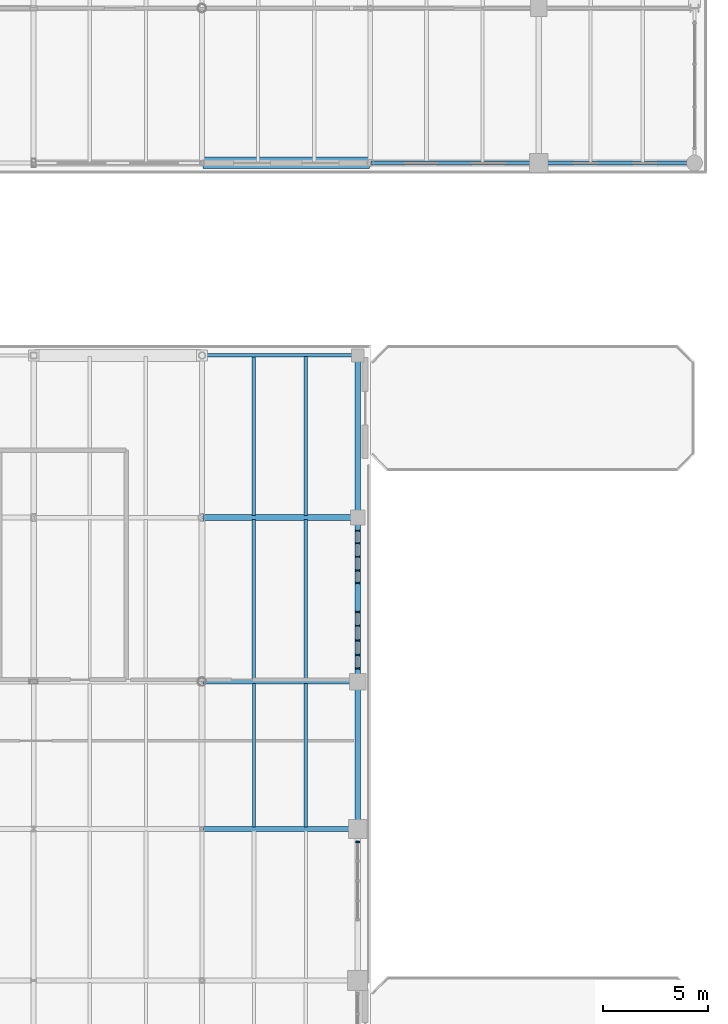
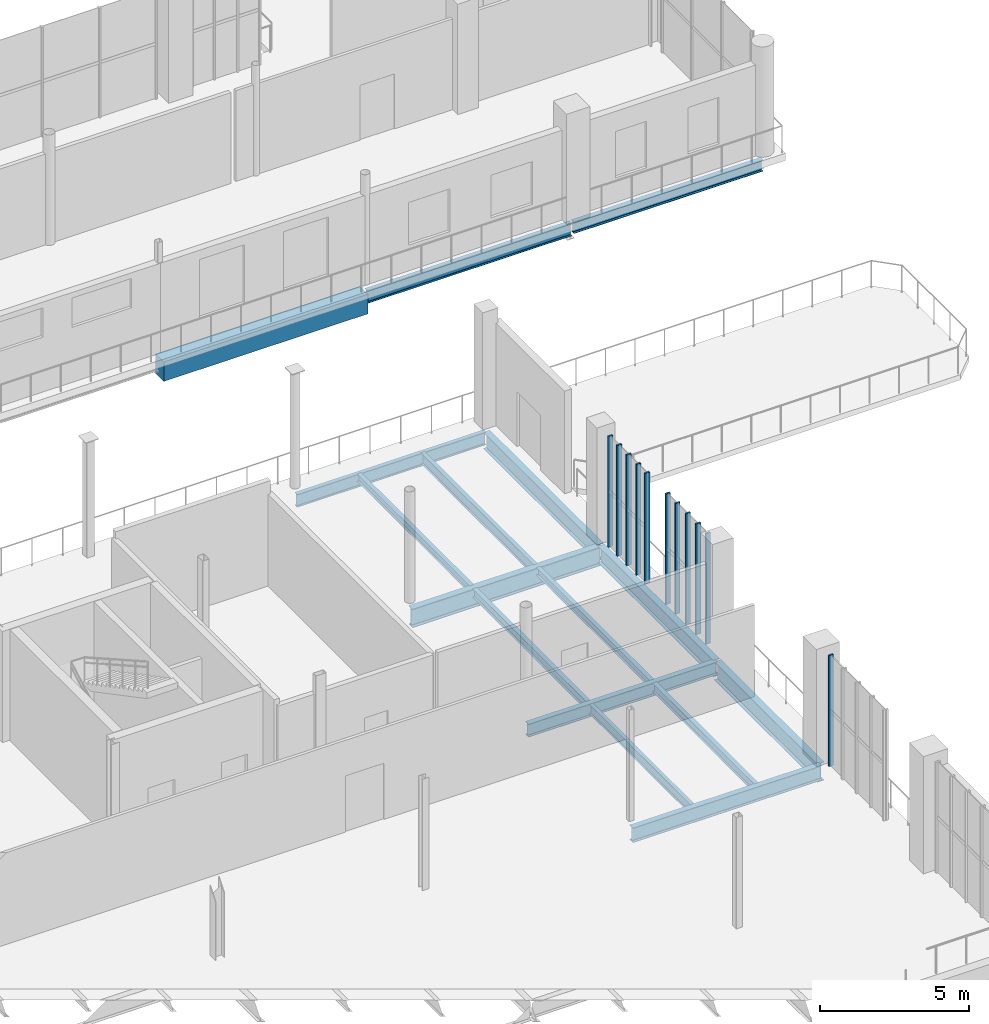
# One storey, part 56 of 93: 16 beams, 11 members, 3 elements without a shape of their own.
"""IFC4 building model written with IfcOpenShell, lengths in metres."""

from ifc_helpers import new_model, si_unit, direction, frame, origin, origin_2d, place, context, subcontext, project, spatial, rectangle, i_section, extrude, material, material_profile, profile_set, type_object, element, aggregate, save


model = new_model("IFC4")

# Units and contexts
model_context = context("Model", 3, precision=1e-05, world=origin(), true_north=direction((0.0, 1.0)))
body_context = subcontext(model_context, "Body", "Model", "MODEL_VIEW")
ifc_project = project(units=[si_unit("LENGTHUNIT", "METRE"), si_unit("AREAUNIT", "SQUARE_METRE"), si_unit("VOLUMEUNIT", "CUBIC_METRE"), si_unit("PLANEANGLEUNIT", "RADIAN"), si_unit("MASSUNIT", "GRAM", prefix="KILO")], contexts=[model_context])

# Site, building, storey
site_placement = place(None, origin())
site = spatial("IfcSite", under=ifc_project, at=site_placement, CompositionType="ELEMENT")
building_placement = place(site_placement, origin())
building = spatial("IfcBuilding", under=site, at=building_placement, Name="Brisemont Oceanarium", CompositionType="ELEMENT")
storey_placement = place(building_placement, frame((0.0, 0.0, 5.39990234375)))
storey = spatial("IfcBuildingStorey", under=building, at=storey_placement, Name="L01", CompositionType="ELEMENT", Elevation=5.39990234375)

# Beams
ifc_material_1 = material(Name="Concrete C40/50", Category="concrete")
ifc_material_profile_1 = material_profile(ifc_material_1, rectangle(XDim=0.550048828125, YDim=0.800048828125, at=origin_2d()), Name="RC-BM-550X800")
ifc_profile_set_1 = profile_set([ifc_material_profile_1], Name="Concrete C40/50")
beam_type_1 = type_object("IfcBeamType", Name="BM-RC550X800", PredefinedType="SPANDREL", material=ifc_profile_set_1)
beam_1_placement = place(storey_placement, frame((136.0400390625, 80.64990234375, -0.699951171875), z_axis=(1.0, 0.0, 0.0), x_axis=(0.0, 1.0, 0.0)))
element("IfcBeam", 1, at=beam_1_placement, inside=storey, type_object=beam_type_1, Name="V6 L01 EW girder", PredefinedType="SPANDREL", context=body_context, shape_type="SweptSolid", body=[
    extrude(rectangle(XDim=0.550048828125, YDim=0.800048828125, at=origin_2d()), origin(), (0.0, 0.0, 1.0), 7.919921875),
])
ifc_material_2 = material(Name="Structural Steel ASTM A992 Gr.50", Category="steel")
ifc_material_profile_2 = material_profile(ifc_material_2, i_section(OverallWidth=0.1650390625, OverallDepth=0.31005859375, WebThickness=0.005859375, FlangeThickness=0.009765625, FilletRadius=0.008056640625, at=origin_2d()), Name="W12X26")
ifc_profile_set_2 = profile_set([ifc_material_profile_2], Name="Structural Steel ASTM A992 Gr.50")
beam_type_2 = type_object("IfcBeamType", Name="BM-W12X26", PredefinedType="JOIST", material=ifc_profile_set_2)
beam_2_placement = place(storey_placement, frame((140.933349609375, 56.090087890625, -0.454833984375), z_axis=(0.0, 1.0, 0.0), x_axis=(-1.0, 0.0, 0.0)))
element("IfcBeam", 2, at=beam_2_placement, inside=storey, type_object=beam_type_2, Name="V5E L01 secondary floor beam", PredefinedType="JOIST", context=body_context, shape_type="SweptSolid", body=[
    extrude(i_section(OverallWidth=0.1650390625, OverallDepth=0.31005859375, WebThickness=0.005859375, FlangeThickness=0.009765625, FilletRadius=0.008056640625, at=origin_2d()), origin(), (0.0, 0.0, 1.0), 7.619873046875),
])
beam_3_placement = place(storey_placement, frame((138.466796875, 63.889892578125, -0.454833984375), z_axis=(0.0, 1.0, 0.0), x_axis=(-1.0, 0.0, 0.0)))
element("IfcBeam", 3, at=beam_3_placement, inside=storey, type_object=beam_type_2, Name="V5E L01 secondary floor beam", PredefinedType="JOIST", context=body_context, shape_type="SweptSolid", body=[
    extrude(i_section(OverallWidth=0.1650390625, OverallDepth=0.31005859375, WebThickness=0.005859375, FlangeThickness=0.009765625, FilletRadius=0.008056640625, at=origin_2d()), origin(), (0.0, 0.0, 1.0), 7.570068359375),
])
ifc_material_3 = material(Name="Structural Steel ASTM A992 Gr.50", Category="steel")
ifc_material_profile_3 = material_profile(ifc_material_3, i_section(OverallWidth=0.1708984375, OverallDepth=0.35107421875, WebThickness=0.0068359375, FlangeThickness=0.009765625, FilletRadius=0.010009765625, at=origin_2d()), Name="W14X30")
ifc_profile_set_3 = profile_set([ifc_material_profile_3], Name="Structural Steel ASTM A992 Gr.50")
beam_type_3 = type_object("IfcBeamType", Name="BM-W14X30", PredefinedType="JOIST", material=ifc_profile_set_3)
beam_4_placement = place(storey_placement, frame((140.933349609375, 49.090087890625, -0.475341796875), z_axis=(0.0, 1.0, 0.0), x_axis=(-1.0, 0.0, 0.0)))
element("IfcBeam", 4, at=beam_4_placement, inside=storey, type_object=beam_type_3, Name="V5E L01 secondary floor beam", PredefinedType="JOIST", context=body_context, shape_type="SweptSolid", body=[
    extrude(i_section(OverallWidth=0.1708984375, OverallDepth=0.35107421875, WebThickness=0.0068359375, FlangeThickness=0.009765625, FilletRadius=0.010009765625, at=origin_2d()), origin(), (0.0, 0.0, 1.0), 6.81982421875),
])
beam_5_placement = place(storey_placement, frame((138.466796875, 56.090087890625, -0.475341796875), z_axis=(0.0, 1.0, 0.0), x_axis=(-1.0, 0.0, 0.0)))
element("IfcBeam", 5, at=beam_5_placement, inside=storey, type_object=beam_type_3, Name="V5E L01 secondary floor beam", PredefinedType="JOIST", context=body_context, shape_type="SweptSolid", body=[
    extrude(i_section(OverallWidth=0.1708984375, OverallDepth=0.35107421875, WebThickness=0.0068359375, FlangeThickness=0.009765625, FilletRadius=0.010009765625, at=origin_2d()), origin(), (0.0, 0.0, 1.0), 7.619873046875),
])
ifc_material_4 = material(Name="Structural Steel ASTM A992 Gr.50", Category="steel")
ifc_material_profile_4 = material_profile(ifc_material_4, i_section(OverallWidth=0.139892578125, OverallDepth=0.39892578125, WebThickness=0.00634765625, FlangeThickness=0.0087890625, FilletRadius=0.010009765625, at=origin_2d()), Name="W16X26")
ifc_profile_set_4 = profile_set([ifc_material_profile_4], Name="Structural Steel ASTM A992 Gr.50")
beam_type_4 = type_object("IfcBeamType", Name="BM-W16X26", PredefinedType="JOIST", material=ifc_profile_set_4)
beam_6_placement = place(storey_placement, frame((138.466796875, 49.090087890625, -0.49951171875), z_axis=(0.0, 1.0, 0.0), x_axis=(-1.0, 0.0, 0.0)))
element("IfcBeam", 6, at=beam_6_placement, inside=storey, type_object=beam_type_4, Name="V5E L01 secondary floor beam", PredefinedType="JOIST", context=body_context, shape_type="SweptSolid", body=[
    extrude(i_section(OverallWidth=0.139892578125, OverallDepth=0.39892578125, WebThickness=0.00634765625, FlangeThickness=0.0087890625, FilletRadius=0.010009765625, at=origin_2d()), origin(), (0.0, 0.0, 1.0), 6.81982421875),
])
ifc_material_5 = material(Name="Structural Steel ASTM A992 Gr.50", Category="steel")
ifc_material_profile_5 = material_profile(ifc_material_5, i_section(OverallWidth=0.153076171875, OverallDepth=0.455078125, WebThickness=0.008056640625, FlangeThickness=0.01318359375, FilletRadius=0.010986328125, at=origin_2d()), Name="W18X40")
ifc_profile_set_5 = profile_set([ifc_material_profile_5], Name="Structural Steel ASTM A992 Gr.50")
beam_type_5 = type_object("IfcBeamType", Name="BM-W18X40", PredefinedType="JOIST", material=ifc_profile_set_5)
beam_7_placement = place(storey_placement, frame((140.933349609375, 63.889892578125, -0.52734375), z_axis=(0.0, 1.0, 0.0), x_axis=(-1.0, 0.0, 0.0)))
element("IfcBeam", 7, at=beam_7_placement, inside=storey, type_object=beam_type_5, Name="V5E L01 secondary floor beam", PredefinedType="JOIST", context=body_context, shape_type="SweptSolid", body=[
    extrude(i_section(OverallWidth=0.153076171875, OverallDepth=0.455078125, WebThickness=0.008056640625, FlangeThickness=0.01318359375, FilletRadius=0.010986328125, at=origin_2d()), origin(), (0.0, 0.0, 1.0), 7.570068359375),
])
ifc_material_6 = material(Name="Structural Steel ASTM A992 Gr.50", Category="steel")
ifc_material_profile_6 = material_profile(ifc_material_6, i_section(OverallWidth=0.19091796875, OverallDepth=0.4599609375, WebThickness=0.010009765625, FlangeThickness=0.01611328125, FilletRadius=0.010986328125, at=origin_2d()), Name="W18X55")
ifc_profile_set_6 = profile_set([ifc_material_profile_6], Name="Structural Steel ASTM A992 Gr.50")
beam_type_6 = type_object("IfcBeamType", Name="BM-W18X55", PredefinedType="SPANDREL", material=ifc_profile_set_6)
beam_8_placement = place(storey_placement, frame((152.0400390625, 80.64990234375, -0.52978515625), z_axis=(1.0, 0.0, 0.0), x_axis=(0.0, 1.0, 0.0)))
element("IfcBeam", 8, at=beam_8_placement, inside=storey, type_object=beam_type_6, Name="V6 L01 EW girder", PredefinedType="SPANDREL", context=body_context, shape_type="SweptSolid", body=[
    extrude(i_section(OverallWidth=0.19091796875, OverallDepth=0.4599609375, WebThickness=0.010009765625, FlangeThickness=0.01611328125, FilletRadius=0.010986328125, at=origin_2d()), origin(), (0.0, 0.0, 1.0), 7.320068359375),
])
ifc_material_7 = material(Name="Structural Steel ASTM A992 Gr.50", Category="steel")
ifc_material_profile_7 = material_profile(ifc_material_7, i_section(OverallWidth=0.166015625, OverallDepth=0.528076171875, WebThickness=0.009765625, FlangeThickness=0.013671875, FilletRadius=0.012939453125, at=origin_2d()), Name="W21X50")
ifc_profile_set_7 = profile_set([ifc_material_profile_7], Name="Structural Steel ASTM A992 Gr.50")
beam_type_7 = type_object("IfcBeamType", Name="BM-W21X50", PredefinedType="SPANDREL", material=ifc_profile_set_7)
beam_9_placement = place(storey_placement, frame((136.0400390625, 71.5, -0.56396484375), z_axis=(1.0, 0.0, 0.0), x_axis=(0.0, 1.0, 0.0)))
element("IfcBeam", 9, at=beam_9_placement, inside=storey, type_object=beam_type_7, Name="V5E L01 EW girder", PredefinedType="SPANDREL", context=body_context, shape_type="SweptSolid", body=[
    extrude(i_section(OverallWidth=0.166015625, OverallDepth=0.528076171875, WebThickness=0.009765625, FlangeThickness=0.013671875, FilletRadius=0.012939453125, at=origin_2d()), origin(), (0.0, 0.0, 1.0), 7.320068359375),
])
beam_10_placement = place(storey_placement, frame((144.0400390625, 80.64990234375, -0.56396484375), z_axis=(1.0, 0.0, 0.0), x_axis=(0.0, 1.0, 0.0)))
element("IfcBeam", 10, at=beam_10_placement, inside=storey, type_object=beam_type_7, Name="V6 L01 EW girder", PredefinedType="SPANDREL", context=body_context, shape_type="SweptSolid", body=[
    extrude(i_section(OverallWidth=0.166015625, OverallDepth=0.528076171875, WebThickness=0.009765625, FlangeThickness=0.013671875, FilletRadius=0.012939453125, at=origin_2d()), origin(), (0.0, 0.0, 1.0), 7.919921875),
])
ifc_material_8 = material(Name="Structural Steel ASTM A992 Gr.50", Category="steel")
ifc_material_profile_8 = material_profile(ifc_material_8, i_section(OverallWidth=0.2099609375, OverallDepth=0.532958984375, WebThickness=0.01025390625, FlangeThickness=0.015625, FilletRadius=0.012939453125, at=origin_2d()), Name="W21X62")
ifc_profile_set_8 = profile_set([ifc_material_profile_8], Name="Structural Steel ASTM A992 Gr.50")
beam_type_8 = type_object("IfcBeamType", Name="BM-W21X62", PredefinedType="BEAM", material=ifc_profile_set_8)
beam_11_placement = place(storey_placement, frame((136.0400390625, 56.0, -0.56640625), z_axis=(1.0, 0.0, 0.0), x_axis=(0.0, 1.0, 0.0)))
element("IfcBeam", 11, at=beam_11_placement, inside=storey, type_object=beam_type_8, Name="V5E L01 EW girder", PredefinedType="BEAM", context=body_context, shape_type="SweptSolid", body=[
    extrude(i_section(OverallWidth=0.2099609375, OverallDepth=0.532958984375, WebThickness=0.01025390625, FlangeThickness=0.015625, FilletRadius=0.012939453125, at=origin_2d()), origin(), (0.0, 0.0, 1.0), 7.320068359375),
])
ifc_material_9 = material(Name="Structural Steel ASTM A992 Gr.50", Category="steel")
ifc_material_profile_9 = material_profile(ifc_material_9, i_section(OverallWidth=0.22802734375, OverallDepth=0.60205078125, WebThickness=0.010498046875, FlangeThickness=0.014892578125, FilletRadius=0.012939453125, at=origin_2d()), Name="W24X68")
ifc_profile_set_9 = profile_set([ifc_material_profile_9], Name="Structural Steel ASTM A992 Gr.50")
beam_type_9 = type_object("IfcBeamType", Name="BM-W24X68", PredefinedType="BEAM", material=ifc_profile_set_9)
beam_12_placement = place(storey_placement, frame((136.0400390625, 49.0, -0.600830078125), z_axis=(1.0, 0.0, 0.0), x_axis=(0.0, 1.0, 0.0)))
element("IfcBeam", 12, at=beam_12_placement, inside=storey, type_object=beam_type_9, Name="V5E L01 EW girder", PredefinedType="BEAM", context=body_context, shape_type="SweptSolid", body=[
    extrude(i_section(OverallWidth=0.22802734375, OverallDepth=0.60205078125, WebThickness=0.010498046875, FlangeThickness=0.014892578125, FilletRadius=0.012939453125, at=origin_2d()), origin(), (0.0, 0.0, 1.0), 7.320068359375),
])
ifc_material_10 = material(Name="Structural Steel ASTM A992 Gr.50", Category="steel")
ifc_material_profile_10 = material_profile(ifc_material_10, i_section(OverallWidth=0.2529296875, OverallDepth=0.677978515625, WebThickness=0.01171875, FlangeThickness=0.016357421875, FilletRadius=0.014892578125, at=origin_2d()), Name="W27X84")
ifc_profile_set_10 = profile_set([ifc_material_profile_10], Name="Structural Steel ASTM A992 Gr.50")
beam_type_10 = type_object("IfcBeamType", Name="BM-W27X84", PredefinedType="BEAM", material=ifc_profile_set_10)
beam_13_placement = place(storey_placement, frame((143.39990234375, 63.840087890625, -0.638916015625), z_axis=(0.0, 1.0, 0.0), x_axis=(-1.0, 0.0, 0.0)))
element("IfcBeam", 13, at=beam_13_placement, inside=storey, type_object=beam_type_10, Name="V5E L01 NS girder", PredefinedType="BEAM", context=body_context, shape_type="SweptSolid", body=[
    extrude(i_section(OverallWidth=0.2529296875, OverallDepth=0.677978515625, WebThickness=0.01171875, FlangeThickness=0.016357421875, FilletRadius=0.014892578125, at=origin_2d()), origin(), (0.0, 0.0, 1.0), 7.619873046875),
])
ifc_material_11 = material(Name="Structural Steel ASTM A992 Gr.50", Category="steel")
ifc_material_profile_11 = material_profile(ifc_material_11, i_section(OverallWidth=0.25390625, OverallDepth=0.68310546875, WebThickness=0.012451171875, FlangeThickness=0.018798828125, FilletRadius=0.014892578125, at=origin_2d()), Name="W27X94")
ifc_profile_set_11 = profile_set([ifc_material_profile_11], Name="Structural Steel ASTM A992 Gr.50")
beam_type_11 = type_object("IfcBeamType", Name="BM-W27X94", PredefinedType="BEAM", material=ifc_profile_set_11)
beam_14_placement = place(storey_placement, frame((143.39990234375, 56.0400390625, -0.641357421875), z_axis=(0.0, 1.0, 0.0), x_axis=(-1.0, 0.0, 0.0)))
element("IfcBeam", 14, at=beam_14_placement, inside=storey, type_object=beam_type_11, Name="V5E L01 NS girder", PredefinedType="BEAM", context=body_context, shape_type="SweptSolid", body=[
    extrude(i_section(OverallWidth=0.25390625, OverallDepth=0.68310546875, WebThickness=0.012451171875, FlangeThickness=0.018798828125, FilletRadius=0.014892578125, at=origin_2d()), origin(), (0.0, 0.0, 1.0), 7.719970703125),
])
ifc_material_12 = material(Name="Structural Steel ASTM A992 Gr.50", Category="steel")
ifc_material_profile_12 = material_profile(ifc_material_12, i_section(OverallWidth=0.26708984375, OverallDepth=0.761962890625, WebThickness=0.014404296875, FlangeThickness=0.021484375, FilletRadius=0.01611328125, at=origin_2d()), Name="W30X116")
ifc_profile_set_12 = profile_set([ifc_material_profile_12], Name="Structural Steel ASTM A992 Gr.50")
beam_type_12 = type_object("IfcBeamType", Name="BM-W30X116", PredefinedType="BEAM", material=ifc_profile_set_12)
beam_15_placement = place(storey_placement, frame((136.0400390625, 63.800048828125, -0.680908203125), z_axis=(1.0, 0.0, 0.0), x_axis=(0.0, 1.0, 0.0)))
element("IfcBeam", 15, at=beam_15_placement, inside=storey, type_object=beam_type_12, Name="V5E L01 EW girder", PredefinedType="BEAM", context=body_context, shape_type="SweptSolid", body=[
    extrude(i_section(OverallWidth=0.26708984375, OverallDepth=0.761962890625, WebThickness=0.014404296875, FlangeThickness=0.021484375, FilletRadius=0.01611328125, at=origin_2d()), origin(), (0.0, 0.0, 1.0), 7.320068359375),
])
ifc_material_13 = material(Name="Structural Steel ASTM A992 Gr.50", Category="steel")
ifc_material_profile_13 = material_profile(ifc_material_13, i_section(OverallWidth=0.264892578125, OverallDepth=0.7529296875, WebThickness=0.01318359375, FlangeThickness=0.01708984375, FilletRadius=0.01611328125, at=origin_2d()), Name="W30X99")
ifc_profile_set_13 = profile_set([ifc_material_profile_13], Name="Structural Steel ASTM A992 Gr.50")
beam_type_13 = type_object("IfcBeamType", Name="BM-W30X99", PredefinedType="BEAM", material=ifc_profile_set_13)
beam_16_placement = place(storey_placement, frame((143.39990234375, 49.0400390625, -0.676513671875), z_axis=(0.0, 1.0, 0.0), x_axis=(-1.0, 0.0, 0.0)))
element("IfcBeam", 16, at=beam_16_placement, inside=storey, type_object=beam_type_13, Name="V5E L01 NS girder", PredefinedType="BEAM", context=body_context, shape_type="SweptSolid", body=[
    extrude(i_section(OverallWidth=0.264892578125, OverallDepth=0.7529296875, WebThickness=0.01318359375, FlangeThickness=0.01708984375, FilletRadius=0.01611328125, at=origin_2d()), origin(), (0.0, 0.0, 1.0), 6.919921875),
])

# Curtain wall, member
ifc_material_14 = material(Name="Anodized Extruded Aluminum 6063-T6", Category="aluminium")
curtain_wall_type = type_object("IfcCurtainWallType", Name="CW-GAL-69X43", PredefinedType="NOTDEFINED", material=ifc_material_14)
curtain_wall_1_placement = place(storey_placement, origin())
curtain_wall_1 = element("IfcCurtainWall", 17, at=curtain_wall_1_placement, inside=storey, type_object=curtain_wall_type, Name="CW-12 curtain wall CW-V5E-MC-L01-02", PredefinedType="NOTDEFINED")
ifc_material_15 = material(Name="Anodized Extruded Aluminum 6063-T6", Category="aluminium")
ifc_material_profile_14 = material_profile(ifc_material_15, rectangle(XDim=0.06494140625, YDim=0.179931640625, at=origin_2d()), Name="CWM-65X180")
ifc_profile_set_14 = profile_set([ifc_material_profile_14], Name="Anodized Extruded Aluminum 6063-T6")
member_type = type_object("IfcMemberType", Name="MEM-CWM-65", PredefinedType="MULLION", material=ifc_profile_set_14)
member_1_placement = place(storey_placement, frame((143.39990234375, 48.375, 0.0), z_axis=(0.0, 0.0, 1.0), x_axis=(0.0, 1.0, 0.0)))
member_1 = element("IfcMember", 18, at=member_1_placement, type_object=member_type, Name="CW-V5E-MC-L01-02 mullion 5", PredefinedType="MULLION", context=body_context, shape_type="SweptSolid", body=[
    extrude(rectangle(XDim=0.06494140625, YDim=0.179931640625, at=origin_2d()), origin(), (0.0, 0.0, 1.0), 4.5400390625),
])
aggregate(curtain_wall_1, [member_1])

# Curtain wall, members
curtain_wall_2_placement = place(storey_placement, origin())
curtain_wall_2 = element("IfcCurtainWall", 19, at=curtain_wall_2_placement, inside=storey, type_object=curtain_wall_type, Name="CW-12 curtain wall CW-V5E-MC-L01-03", PredefinedType="NOTDEFINED")
member_2_placement = place(storey_placement, frame((143.39990234375, 56.625, 0.0), z_axis=(0.0, 0.0, 1.0), x_axis=(0.0, 1.0, 0.0)))
member_2 = element("IfcMember", 20, at=member_2_placement, type_object=member_type, Name="CW-V5E-MC-L01-03 mullion 1", PredefinedType="MULLION", context=body_context, shape_type="SweptSolid", body=[
    extrude(rectangle(XDim=0.06494140625, YDim=0.179931640625, at=origin_2d()), origin(), (0.0, 0.0, 1.0), 4.5400390625),
])
member_3_placement = place(storey_placement, frame((143.39990234375, 57.2724609375, 0.0), z_axis=(0.0, 0.0, 1.0), x_axis=(0.0, 1.0, 0.0)))
member_3 = element("IfcMember", 21, at=member_3_placement, type_object=member_type, Name="CW-V5E-MC-L01-03 mullion 2", PredefinedType="MULLION", context=body_context, shape_type="SweptSolid", body=[
    extrude(rectangle(XDim=0.06494140625, YDim=0.179931640625, at=origin_2d()), origin(), (0.0, 0.0, 1.0), 4.5400390625),
])
member_4_placement = place(storey_placement, frame((143.39990234375, 57.965087890625, 0.0), z_axis=(0.0, 0.0, 1.0), x_axis=(0.0, 1.0, 0.0)))
member_4 = element("IfcMember", 22, at=member_4_placement, type_object=member_type, Name="CW-V5E-MC-L01-03 mullion 3", PredefinedType="MULLION", context=body_context, shape_type="SweptSolid", body=[
    extrude(rectangle(XDim=0.06494140625, YDim=0.179931640625, at=origin_2d()), origin(), (0.0, 0.0, 1.0), 4.5400390625),
])
member_5_placement = place(storey_placement, frame((143.39990234375, 58.657470703125, 0.0), z_axis=(0.0, 0.0, 1.0), x_axis=(0.0, 1.0, 0.0)))
member_5 = element("IfcMember", 23, at=member_5_placement, type_object=member_type, Name="CW-V5E-MC-L01-03 mullion 4", PredefinedType="MULLION", context=body_context, shape_type="SweptSolid", body=[
    extrude(rectangle(XDim=0.06494140625, YDim=0.179931640625, at=origin_2d()), origin(), (0.0, 0.0, 1.0), 4.5400390625),
])
member_6_placement = place(storey_placement, frame((143.39990234375, 59.304931640625, 0.0), z_axis=(0.0, 0.0, 1.0), x_axis=(0.0, 1.0, 0.0)))
member_6 = element("IfcMember", 24, at=member_6_placement, type_object=member_type, Name="CW-V5E-MC-L01-03 mullion 5", PredefinedType="MULLION", context=body_context, shape_type="SweptSolid", body=[
    extrude(rectangle(XDim=0.06494140625, YDim=0.179931640625, at=origin_2d()), origin(), (0.0, 0.0, 1.0), 4.5400390625),
])
aggregate(curtain_wall_2, [member_2, member_3, member_4, member_5, member_6])

curtain_wall_3_placement = place(storey_placement, origin())
curtain_wall_3 = element("IfcCurtainWall", 25, at=curtain_wall_3_placement, inside=storey, type_object=curtain_wall_type, Name="CW-12 curtain wall CW-V5E-MC-L01-04", PredefinedType="NOTDEFINED")
member_7_placement = place(storey_placement, frame((143.39990234375, 60.695068359375, 0.0), z_axis=(0.0, 0.0, 1.0), x_axis=(0.0, 1.0, 0.0)))
member_7 = element("IfcMember", 26, at=member_7_placement, type_object=member_type, Name="CW-V5E-MC-L01-04 mullion 1", PredefinedType="MULLION", context=body_context, shape_type="SweptSolid", body=[
    extrude(rectangle(XDim=0.06494140625, YDim=0.179931640625, at=origin_2d()), origin(), (0.0, 0.0, 1.0), 4.5400390625),
])
member_8_placement = place(storey_placement, frame((143.39990234375, 61.29248046875, 0.0), z_axis=(0.0, 0.0, 1.0), x_axis=(0.0, 1.0, 0.0)))
member_8 = element("IfcMember", 27, at=member_8_placement, type_object=member_type, Name="CW-V5E-MC-L01-04 mullion 2", PredefinedType="MULLION", context=body_context, shape_type="SweptSolid", body=[
    extrude(rectangle(XDim=0.06494140625, YDim=0.179931640625, at=origin_2d()), origin(), (0.0, 0.0, 1.0), 4.5400390625),
])
member_9_placement = place(storey_placement, frame((143.39990234375, 61.93505859375, 0.0), z_axis=(0.0, 0.0, 1.0), x_axis=(0.0, 1.0, 0.0)))
member_9 = element("IfcMember", 28, at=member_9_placement, type_object=member_type, Name="CW-V5E-MC-L01-04 mullion 3", PredefinedType="MULLION", context=body_context, shape_type="SweptSolid", body=[
    extrude(rectangle(XDim=0.06494140625, YDim=0.179931640625, at=origin_2d()), origin(), (0.0, 0.0, 1.0), 4.5400390625),
])
member_10_placement = place(storey_placement, frame((143.39990234375, 62.577392578125, 0.0), z_axis=(0.0, 0.0, 1.0), x_axis=(0.0, 1.0, 0.0)))
member_10 = element("IfcMember", 29, at=member_10_placement, type_object=member_type, Name="CW-V5E-MC-L01-04 mullion 4", PredefinedType="MULLION", context=body_context, shape_type="SweptSolid", body=[
    extrude(rectangle(XDim=0.06494140625, YDim=0.179931640625, at=origin_2d()), origin(), (0.0, 0.0, 1.0), 4.5400390625),
])
member_11_placement = place(storey_placement, frame((143.39990234375, 63.175048828125, 0.0), z_axis=(0.0, 0.0, 1.0), x_axis=(0.0, 1.0, 0.0)))
member_11 = element("IfcMember", 30, at=member_11_placement, type_object=member_type, Name="CW-V5E-MC-L01-04 mullion 5", PredefinedType="MULLION", context=body_context, shape_type="SweptSolid", body=[
    extrude(rectangle(XDim=0.06494140625, YDim=0.179931640625, at=origin_2d()), origin(), (0.0, 0.0, 1.0), 4.5400390625),
])
aggregate(curtain_wall_3, [member_7, member_8, member_9, member_10, member_11])

save(model, "model.ifc")
